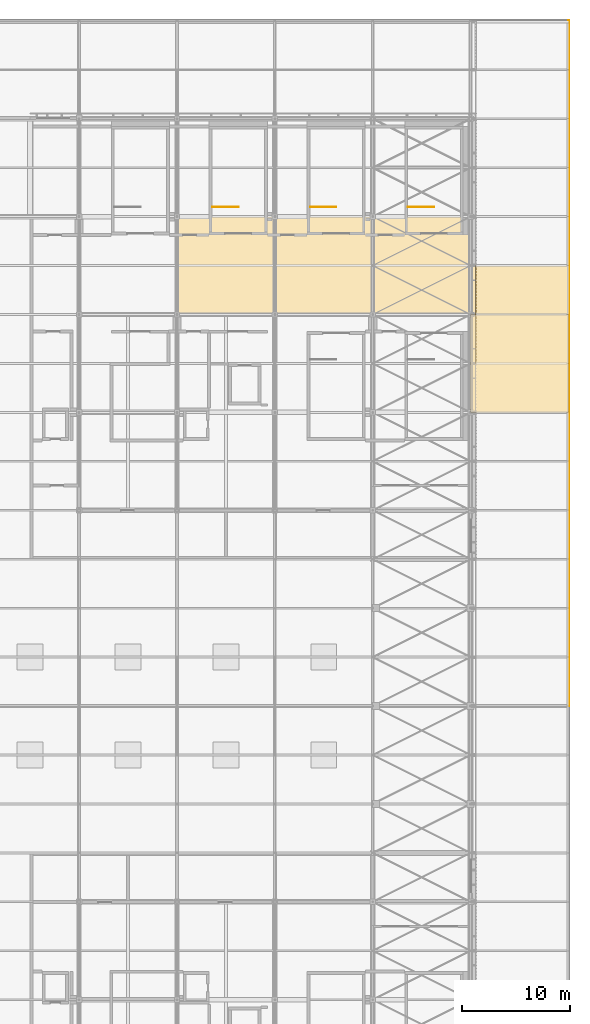
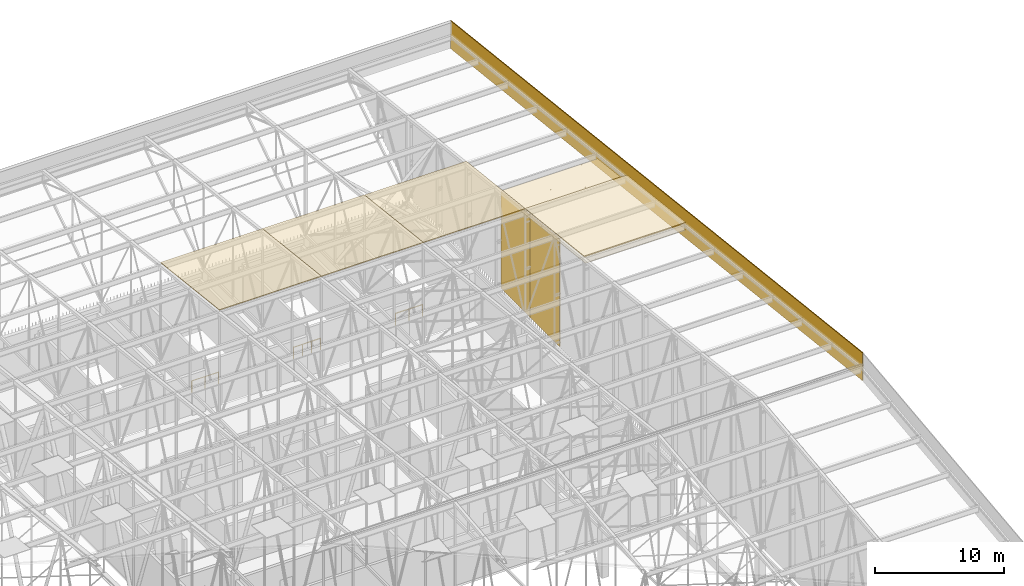
# One storey, part 495 of 500: 8 coverings, 3 railings, 2 shading devices.
"""IFC4 building model written with IfcOpenShell, lengths in metres."""

from ifc_helpers import new_model, si_unit, direction, frame, origin, origin_2d, place, context, subcontext, project, spatial, polyline, rectangle, circle, outline, extrude, material, layer, layer_set, type_object, element, save


model = new_model("IFC4")

# Units and contexts
model_context = context("Model", 3, precision=1e-05, world=origin(), true_north=direction((0.0, 1.0)))
body_context = subcontext(model_context, "Body", "Model", "MODEL_VIEW")
ifc_project = project(units=[si_unit("LENGTHUNIT", "METRE"), si_unit("AREAUNIT", "SQUARE_METRE"), si_unit("VOLUMEUNIT", "CUBIC_METRE"), si_unit("PLANEANGLEUNIT", "RADIAN"), si_unit("MASSUNIT", "GRAM", prefix="KILO")], contexts=[model_context])

# Site, building, storey
site_placement = place(None, origin())
site = spatial("IfcSite", under=ifc_project, at=site_placement, CompositionType="ELEMENT")
building_placement = place(site_placement, origin())
building = spatial("IfcBuilding", under=site, at=building_placement, Name="Shirokan Park Arena", CompositionType="ELEMENT")
storey_placement = place(building_placement, frame((0.0, 0.0, 29.1201171875)))
storey = spatial("IfcBuildingStorey", under=building, at=storey_placement, Name="L06", CompositionType="ELEMENT", Elevation=29.1201171875)

# Coverings
ifc_material_1 = material(Name="Bituminous roofing membrane")
ifc_layer_1 = layer(ifc_material_1, 0.010009765625, Name="Bituminous roofing membrane")
ifc_material_2 = material(Name="Mineral wool insulation")
ifc_layer_2 = layer(ifc_material_2, 0.050048828125, Name="Mineral wool insulation")
ifc_layer_set_1 = layer_set([ifc_layer_1, ifc_layer_2], Name="Bituminous roofing membrane + Mineral wool insulation")
covering_type_1 = type_object("IfcCoveringType", Name="Roofing membrane 60", PredefinedType="ROOFING", material=ifc_layer_set_1)
covering_1_placement = place(storey_placement, frame((118.300048828125, 91.0, 15.0107421875), z_axis=(0.0, 0.113549598152, 0.993532328996), x_axis=(1.0, 0.0, 0.0)))
element("IfcCovering", 1, at=covering_1_placement, inside=storey, type_object=covering_type_1, Name="Roofing", PredefinedType="ROOFING", context=body_context, shape_type="SweptSolid", body=[
    extrude(outline(polyline([(0.0, 0.0), (9.099853515625, 0.0), (9.099853515625, 9.15933723611117), (0.0, 9.15933723611117), (0.0, 0.0)])), origin(), (0.0, 0.0, -1.0), 0.06005859375),
])
for number, where, z_axis, x_axis, name in (
    (2, (127.39990234375, 91.0, 15.0107421875), (0.0, 0.113549598152, 0.993532328996), (1.0, 0.0, 0.0), "Roofing"),
    (3, (136.5, 91.0, 15.0107421875), (0.0, 0.113549598152, 0.993532328996), (1.0, 0.0, 0.0), "Roofing"),
):
    element("IfcCovering", number, at=place(storey_placement, frame(where, z_axis=z_axis, x_axis=x_axis)), inside=storey, type_object=covering_type_1, Name=name, PredefinedType="ROOFING", context=body_context, shape_type="SweptSolid", body=[
        extrude(outline(polyline([(0.0, 0.0), (9.10009765625, 0.0), (9.10009765625, 9.15933723611117), (0.0, 9.15933723611117), (0.0, 0.0)])), origin(), (0.0, 0.0, -1.0), 0.06005859375),
    ])
covering_2_placement = place(storey_placement, frame((145.60009765625, 81.89990234375, 16.05078125), z_axis=(0.0, 0.113549598152, 0.993532328996), x_axis=(1.0, 0.0, 0.0)))
element("IfcCovering", 4, at=covering_2_placement, inside=storey, type_object=covering_type_1, Name="Roofing", PredefinedType="ROOFING", context=body_context, shape_type="SweptSolid", body=[
    extrude(outline(polyline([(0.0, 0.0), (9.099853515625, 0.0), (9.099853515625, 9.15933723611117), (0.0, 9.15933723611117), (0.0, 0.0)])), origin(), (0.0, 0.0, -1.0), 0.06005859375),
])

# Railings
ifc_material_3 = material(Name="Stainless steel", Category="steel")
railing_type = type_object("IfcRailingType", Name="Stair well guard 1100", PredefinedType="GUARDRAIL", material=ifc_material_3)
railing_1_placement = place(storey_placement, frame((139.800048828125, 101.0, 0.0)))
element("IfcRailing", 5, at=railing_1_placement, inside=storey, type_object=railing_type, Name="Guard Exit Stair 3.A L06", PredefinedType="GUARDRAIL", context=body_context, shape_type="SweptSolid", body=[
    extrude(circle(Radius=0.02490234375, at=origin_2d()), frame((0.0, 0.0, 1.0771484375), z_axis=(1.0, 0.0, 0.0), x_axis=(0.0, 1.0, 0.0)), (0.0, 0.0, 1.0), 2.39990234375),
    extrude(circle(Radius=0.02490234375, at=origin_2d()), origin(), (0.0, 0.0, 1.0), 1.052001953125),
    extrude(circle(Radius=0.02490234375, at=origin_2d()), frame((1.199951171875, 0.0, 0.0)), (0.0, 0.0, 1.0), 1.052001953125),
    extrude(circle(Radius=0.02490234375, at=origin_2d()), frame((2.39990234375, 0.0, 0.0)), (0.0, 0.0, 1.0), 1.052001953125),
])
railing_2_placement = place(storey_placement, frame((130.699951171875, 101.0, 0.0)))
element("IfcRailing", 6, at=railing_2_placement, inside=storey, type_object=railing_type, Name="Guard Exit Stair 3.B L06", PredefinedType="GUARDRAIL", context=body_context, shape_type="SweptSolid", body=[
    extrude(circle(Radius=0.02490234375, at=origin_2d()), frame((0.0, 0.0, 1.0771484375), z_axis=(1.0, 0.0, 0.0), x_axis=(0.0, 1.0, 0.0)), (0.0, 0.0, 1.0), 2.400146484375),
    extrude(circle(Radius=0.02490234375, at=origin_2d()), origin(), (0.0, 0.0, 1.0), 1.052001953125),
    extrude(circle(Radius=0.02490234375, at=origin_2d()), frame((0.800048828125, 0.0, 0.0)), (0.0, 0.0, 1.0), 1.052001953125),
    extrude(circle(Radius=0.02490234375, at=origin_2d()), frame((1.60009765625, 0.0, 0.0)), (0.0, 0.0, 1.0), 1.052001953125),
    extrude(circle(Radius=0.02490234375, at=origin_2d()), frame((2.400146484375, 0.0, 0.0)), (0.0, 0.0, 1.0), 1.052001953125),
])
railing_3_placement = place(storey_placement, frame((121.60009765625, 101.0, 0.0)))
element("IfcRailing", 7, at=railing_3_placement, inside=storey, type_object=railing_type, Name="Guard Exit Stair 3.C L06", PredefinedType="GUARDRAIL", context=body_context, shape_type="SweptSolid", body=[
    extrude(circle(Radius=0.02490234375, at=origin_2d()), frame((0.0, 0.0, 1.0771484375), z_axis=(1.0, 0.0, 0.0), x_axis=(0.0, 1.0, 0.0)), (0.0, 0.0, 1.0), 2.39990234375),
    extrude(circle(Radius=0.02490234375, at=origin_2d()), origin(), (0.0, 0.0, 1.0), 1.052001953125),
    extrude(circle(Radius=0.02490234375, at=origin_2d()), frame((1.199951171875, 0.0, 0.0)), (0.0, 0.0, 1.0), 1.052001953125),
    extrude(circle(Radius=0.02490234375, at=origin_2d()), frame((2.39990234375, 0.0, 0.0)), (0.0, 0.0, 1.0), 1.052001953125),
])

# Coverings
ifc_material_4 = material(Name="Timber soffit boards (cedar)", Category="wood")
ifc_layer_3 = layer(ifc_material_4, 0.030029296875)
ifc_layer_set_2 = layer_set([ifc_layer_3], Name="Timber soffit boards (cedar) 30 mm")
covering_type_2 = type_object("IfcCoveringType", Name="Timber boarded soffit panel", PredefinedType="CLADDING", material=ifc_layer_set_2)
covering_3_placement = place(storey_placement, origin())
element("IfcCovering", 8, at=covering_3_placement, inside=storey, type_object=covering_type_2, Name="Rake soffit east bay 21", PredefinedType="CLADDING", context=body_context, shape_type="SweptSolid", body=[
    extrude(outline(polyline([(0.0, 0.0), (0.12000000000000455, 0.0), (0.12000000000000455, -4.579617887990218), (0.0, -4.579617887990218), (0.0, 0.0)])), frame((145.846923828125, 81.89990234375, 15.341796875), z_axis=(0.0, 0.113546591161, 0.993532672656), x_axis=(-1.0, 0.0, 0.0)), (0.0, 0.0, -1.0), 0.030029296875),
    extrude(outline(polyline([(0.0, 0.0), (0.11999999999997613, 0.0), (0.11999999999997613, -4.579617887990217), (0.0, -4.579617887990217), (0.0, 0.0)])), frame((154.580078125, 86.449951171875, 14.82177734375), z_axis=(0.0, 0.113546591161, 0.993532672656), x_axis=(1.0, 0.0, 0.0)), (0.0, 0.0, -1.0), 0.030029296875),
    extrude(outline(polyline([(0.0, 0.0), (0.12078064455864268, 0.0), (0.12078064455864268, -8.733000000000006), (0.0, -8.733000000000006), (0.0, 0.0)])), frame((154.580078125, 86.449951171875, 14.82177734375), z_axis=(0.0, 0.11351156512, 0.993536675007), x_axis=(0.0, -0.993536675007, 0.11351156512)), (0.0, 0.0, -1.0), 0.030029296875),
    extrude(outline(polyline([(0.0, 0.0), (0.12078064455862857, 0.0), (0.12078064455862857, -8.733000000000006), (0.0, -8.733000000000006), (0.0, 0.0)])), frame((145.846923828125, 81.89990234375, 15.341796875), z_axis=(0.0, 0.11351156512, 0.993536675007), x_axis=(0.0, 0.993536675007, -0.11351156512)), (0.0, 0.0, -1.0), 0.030029296875),
    extrude(outline(polyline([(0.0, 0.0), (8.733000000000004, 0.0), (8.733000000000004, -0.18452428160000886), (0.0, -0.18452428160000886), (0.0, 0.0)])), frame((154.580078125, 82.02001953125, 15.328125), z_axis=(0.0, 0.113589386818, 0.99352778079), x_axis=(-1.0, 0.0, 0.0)), (0.0, 0.0, -1.0), 0.030029296875),
    extrude(outline(polyline([(0.0, 0.0), (8.733000000000004, 0.0), (8.733000000000004, -0.30531372586243666), (0.0, -0.30531372586243666), (0.0, 0.0)])), frame((154.580078125, 82.203369140625, 15.30712890625), z_axis=(0.0, 0.113522573877, 0.993535417195), x_axis=(-1.0, 0.0, 0.0)), (0.0, 0.0, -1.0), 0.030029296875),
    extrude(outline(polyline([(0.0, 0.0), (8.733000000000004, 0.0), (8.733000000000004, -0.3053049259347152), (0.0, -0.3053049259347152), (0.0, 0.0)])), frame((154.580078125, 82.506591796875, 15.2724609375), z_axis=(0.0, 0.113558600124, 0.99353130013), x_axis=(-1.0, 0.0, 0.0)), (0.0, 0.0, -1.0), 0.030029296875),
    extrude(outline(polyline([(0.0, 0.0), (8.733000000000004, 0.0), (8.733000000000004, -0.30530492593471437), (0.0, -0.30530492593471437), (0.0, 0.0)])), frame((154.580078125, 82.81005859375, 15.23779296875), z_axis=(0.0, 0.113558600124, 0.99353130013), x_axis=(-1.0, 0.0, 0.0)), (0.0, 0.0, -1.0), 0.030029296875),
    extrude(outline(polyline([(0.0, 0.0), (8.733000000000004, 0.0), (8.733000000000004, -0.30531372586242256), (0.0, -0.30531372586242256), (0.0, 0.0)])), frame((154.580078125, 83.11328125, 15.203125), z_axis=(0.0, 0.113522573877, 0.993535417195), x_axis=(-1.0, 0.0, 0.0)), (0.0, 0.0, -1.0), 0.030029296875),
    extrude(outline(polyline([(0.0, 0.0), (8.733000000000004, 0.0), (8.733000000000004, -0.3053049259347152), (0.0, -0.3053049259347152), (0.0, 0.0)])), frame((154.580078125, 83.416748046875, 15.16845703125), z_axis=(0.0, 0.113558600124, 0.99353130013), x_axis=(-1.0, 0.0, 0.0)), (0.0, 0.0, -1.0), 0.030029296875),
    extrude(outline(polyline([(0.0, 0.0), (8.733000000000004, 0.0), (8.733000000000004, -0.30530492593471437), (0.0, -0.30530492593471437), (0.0, 0.0)])), frame((154.580078125, 83.719970703125, 15.1337890625), z_axis=(0.0, 0.113558600124, 0.99353130013), x_axis=(-1.0, 0.0, 0.0)), (0.0, 0.0, -1.0), 0.030029296875),
    extrude(outline(polyline([(0.0, 0.0), (8.733000000000004, 0.0), (8.733000000000004, -0.30531372586242334), (0.0, -0.30531372586242334), (0.0, 0.0)])), frame((154.580078125, 84.0234375, 15.09912109375), z_axis=(0.0, 0.113522573877, 0.993535417195), x_axis=(-1.0, 0.0, 0.0)), (0.0, 0.0, -1.0), 0.030029296875),
    extrude(outline(polyline([(0.0, 0.0), (8.733000000000004, 0.0), (8.733000000000004, -0.30530492593471437), (0.0, -0.30530492593471437), (0.0, 0.0)])), frame((154.580078125, 84.32666015625, 15.064453125), z_axis=(0.0, 0.113558600124, 0.99353130013), x_axis=(-1.0, 0.0, 0.0)), (0.0, 0.0, -1.0), 0.030029296875),
    extrude(outline(polyline([(0.0, 0.0), (8.733000000000004, 0.0), (8.733000000000004, -0.30530492593471437), (0.0, -0.30530492593471437), (0.0, 0.0)])), frame((154.580078125, 84.6298828125, 15.02978515625), z_axis=(0.0, 0.113558600124, 0.99353130013), x_axis=(-1.0, 0.0, 0.0)), (0.0, 0.0, -1.0), 0.030029296875),
    extrude(outline(polyline([(0.0, 0.0), (8.733000000000004, 0.0), (8.733000000000004, -0.3053137258624375), (0.0, -0.3053137258624375), (0.0, 0.0)])), frame((154.580078125, 84.933349609375, 14.9951171875), z_axis=(0.0, 0.113522573877, 0.993535417195), x_axis=(-1.0, 0.0, 0.0)), (0.0, 0.0, -1.0), 0.030029296875),
    extrude(outline(polyline([(0.0, 0.0), (8.733000000000004, 0.0), (8.733000000000004, -0.30530492593471437), (0.0, -0.30530492593471437), (0.0, 0.0)])), frame((154.580078125, 85.236572265625, 14.96044921875), z_axis=(0.0, 0.113558600124, 0.99353130013), x_axis=(-1.0, 0.0, 0.0)), (0.0, 0.0, -1.0), 0.030029296875),
    extrude(outline(polyline([(0.0, 0.0), (8.733000000000004, 0.0), (8.733000000000004, -0.30530492593470027), (0.0, -0.30530492593470027), (0.0, 0.0)])), frame((154.580078125, 85.5400390625, 14.92578125), z_axis=(0.0, 0.113558600124, 0.99353130013), x_axis=(-1.0, 0.0, 0.0)), (0.0, 0.0, -1.0), 0.030029296875),
    extrude(outline(polyline([(0.0, 0.0), (8.733000000000004, 0.0), (8.733000000000004, -0.3053137258624375), (0.0, -0.3053137258624375), (0.0, 0.0)])), frame((154.580078125, 85.84326171875, 14.89111328125), z_axis=(0.0, 0.113522573877, 0.993535417195), x_axis=(-1.0, 0.0, 0.0)), (0.0, 0.0, -1.0), 0.030029296875),
    extrude(outline(polyline([(0.0, 0.0), (0.18452428160000803, 0.0), (0.18452428160000803, -8.733000000000004), (0.0, -8.733000000000004), (0.0, 0.0)])), frame((154.580078125, 86.330078125, 14.835693359375), z_axis=(0.0, 0.113589386818, 0.99352778079), x_axis=(0.0, -0.99352778079, 0.113589386818)), (0.0, 0.0, -1.0), 0.030029296875),
])
covering_4_placement = place(storey_placement, origin())
element("IfcCovering", 9, at=covering_4_placement, inside=storey, type_object=covering_type_2, Name="Rake soffit east bay 22", PredefinedType="CLADDING", context=body_context, shape_type="SweptSolid", body=[
    extrude(outline(polyline([(0.0, 0.0), (0.12000000000000455, 0.0), (0.12000000000000455, -4.579617887990218), (0.0, -4.579617887990218), (0.0, 0.0)])), frame((145.846923828125, 86.449951171875, 14.82177734375), z_axis=(0.0, 0.113546591161, 0.993532672656), x_axis=(-1.0, 0.0, 0.0)), (0.0, 0.0, -1.0), 0.030029296875),
    extrude(outline(polyline([(0.0, 0.0), (0.11999999999997613, 0.0), (0.11999999999997613, -4.579617887990217), (0.0, -4.579617887990217), (0.0, 0.0)])), frame((154.580078125, 91.0, 14.302001953125), z_axis=(0.0, 0.113546591161, 0.993532672656), x_axis=(1.0, 0.0, 0.0)), (0.0, 0.0, -1.0), 0.030029296875),
    extrude(outline(polyline([(0.0, 0.0), (0.12078064455864267, 0.0), (0.12078064455864267, -8.733000000000004), (0.0, -8.733000000000004), (0.0, 0.0)])), frame((154.580078125, 91.0, 14.302001953125), z_axis=(0.0, 0.11351156512, 0.993536675007), x_axis=(0.0, -0.993536675007, 0.11351156512)), (0.0, 0.0, -1.0), 0.030029296875),
    extrude(outline(polyline([(0.0, 0.0), (0.12078064455862857, 0.0), (0.12078064455862857, -8.733000000000006), (0.0, -8.733000000000006), (0.0, 0.0)])), frame((145.846923828125, 86.449951171875, 14.82177734375), z_axis=(0.0, 0.11351156512, 0.993536675007), x_axis=(0.0, 0.993536675007, -0.11351156512)), (0.0, 0.0, -1.0), 0.030029296875),
    extrude(outline(polyline([(0.0, 0.0), (8.733000000000004, 0.0), (8.733000000000004, -0.18452428160002213), (0.0, -0.18452428160002213), (0.0, 0.0)])), frame((154.580078125, 86.570068359375, 14.80810546875), z_axis=(0.0, 0.113589386818, 0.99352778079), x_axis=(-1.0, 0.0, 0.0)), (0.0, 0.0, -1.0), 0.030029296875),
    extrude(outline(polyline([(0.0, 0.0), (8.733000000000004, 0.0), (8.733000000000004, -0.30531372586242334), (0.0, -0.30531372586242334), (0.0, 0.0)])), frame((154.580078125, 86.75341796875, 14.787109375), z_axis=(0.0, 0.113522573877, 0.993535417195), x_axis=(-1.0, 0.0, 0.0)), (0.0, 0.0, -1.0), 0.030029296875),
    extrude(outline(polyline([(0.0, 0.0), (8.733000000000004, 0.0), (8.733000000000004, -0.30530492593471437), (0.0, -0.30530492593471437), (0.0, 0.0)])), frame((154.580078125, 87.056640625, 14.75244140625), z_axis=(0.0, 0.113558600124, 0.99353130013), x_axis=(-1.0, 0.0, 0.0)), (0.0, 0.0, -1.0), 0.030029296875),
    extrude(outline(polyline([(0.0, 0.0), (8.733000000000004, 0.0), (8.733000000000004, -0.30530492593471437), (0.0, -0.30530492593471437), (0.0, 0.0)])), frame((154.580078125, 87.360107421875, 14.7177734375), z_axis=(0.0, 0.113558600124, 0.99353130013), x_axis=(-1.0, 0.0, 0.0)), (0.0, 0.0, -1.0), 0.030029296875),
    extrude(outline(polyline([(0.0, 0.0), (8.733000000000004, 0.0), (8.733000000000004, -0.3053137258624234), (0.0, -0.3053137258624234), (0.0, 0.0)])), frame((154.580078125, 87.663330078125, 14.68310546875), z_axis=(0.0, 0.113522573877, 0.993535417195), x_axis=(-1.0, 0.0, 0.0)), (0.0, 0.0, -1.0), 0.030029296875),
    extrude(outline(polyline([(0.0, 0.0), (8.733000000000004, 0.0), (8.733000000000004, -0.30530492593471437), (0.0, -0.30530492593471437), (0.0, 0.0)])), frame((154.580078125, 87.966552734375, 14.6484375), z_axis=(0.0, 0.113558600124, 0.99353130013), x_axis=(-1.0, 0.0, 0.0)), (0.0, 0.0, -1.0), 0.030029296875),
    extrude(outline(polyline([(0.0, 0.0), (8.733000000000004, 0.0), (8.733000000000004, -0.30530492593471437), (0.0, -0.30530492593471437), (0.0, 0.0)])), frame((154.580078125, 88.27001953125, 14.61376953125), z_axis=(0.0, 0.113558600124, 0.99353130013), x_axis=(-1.0, 0.0, 0.0)), (0.0, 0.0, -1.0), 0.030029296875),
    extrude(outline(polyline([(0.0, 0.0), (8.733000000000004, 0.0), (8.733000000000004, -0.3053137258624375), (0.0, -0.3053137258624375), (0.0, 0.0)])), frame((154.580078125, 88.5732421875, 14.5791015625), z_axis=(0.0, 0.113522573877, 0.993535417195), x_axis=(-1.0, 0.0, 0.0)), (0.0, 0.0, -1.0), 0.030029296875),
    extrude(outline(polyline([(0.0, 0.0), (8.733000000000004, 0.0), (8.733000000000004, -0.30530492593471437), (0.0, -0.30530492593471437), (0.0, 0.0)])), frame((154.580078125, 88.876708984375, 14.54443359375), z_axis=(0.0, 0.113558600124, 0.99353130013), x_axis=(-1.0, 0.0, 0.0)), (0.0, 0.0, -1.0), 0.030029296875),
    extrude(outline(polyline([(0.0, 0.0), (8.733000000000004, 0.0), (8.733000000000004, -0.30530492593470104), (0.0, -0.30530492593470104), (0.0, 0.0)])), frame((154.580078125, 89.179931640625, 14.509765625), z_axis=(0.0, 0.113558600124, 0.99353130013), x_axis=(-1.0, 0.0, 0.0)), (0.0, 0.0, -1.0), 0.030029296875),
    extrude(outline(polyline([(0.0, 0.0), (8.733000000000004, 0.0), (8.733000000000004, -0.3053137258624367), (0.0, -0.3053137258624367), (0.0, 0.0)])), frame((154.580078125, 89.4833984375, 14.47509765625), z_axis=(0.0, 0.113522573877, 0.993535417195), x_axis=(-1.0, 0.0, 0.0)), (0.0, 0.0, -1.0), 0.030029296875),
    extrude(outline(polyline([(0.0, 0.0), (8.733000000000004, 0.0), (8.733000000000004, -0.30530492593471437), (0.0, -0.30530492593471437), (0.0, 0.0)])), frame((154.580078125, 89.78662109375, 14.440673828125), z_axis=(0.0, 0.113558600124, 0.99353130013), x_axis=(-1.0, 0.0, 0.0)), (0.0, 0.0, -1.0), 0.030029296875),
    extrude(outline(polyline([(0.0, 0.0), (8.733000000000004, 0.0), (8.733000000000004, -0.3053049259347152), (0.0, -0.3053049259347152), (0.0, 0.0)])), frame((154.580078125, 90.090087890625, 14.40576171875), z_axis=(0.0, 0.113558600124, 0.99353130013), x_axis=(-1.0, 0.0, 0.0)), (0.0, 0.0, -1.0), 0.030029296875),
    extrude(outline(polyline([(0.0, 0.0), (8.733000000000004, 0.0), (8.733000000000004, -0.30531372586242256), (0.0, -0.30531372586242256), (0.0, 0.0)])), frame((154.580078125, 90.393310546875, 14.37109375), z_axis=(0.0, 0.113522573877, 0.993535417195), x_axis=(-1.0, 0.0, 0.0)), (0.0, 0.0, -1.0), 0.030029296875),
    extrude(outline(polyline([(0.0, 0.0), (0.18452428160000886, 0.0), (0.18452428160000886, -8.733000000000004), (0.0, -8.733000000000004), (0.0, 0.0)])), frame((154.580078125, 90.8798828125, 14.315673828125), z_axis=(0.0, 0.113589386818, 0.99352778079), x_axis=(0.0, -0.99352778079, 0.113589386818)), (0.0, 0.0, -1.0), 0.030029296875),
])
covering_5_placement = place(storey_placement, origin())
element("IfcCovering", 10, at=covering_5_placement, inside=storey, type_object=covering_type_2, Name="Rake soffit east bay 23", PredefinedType="CLADDING", context=body_context, shape_type="SweptSolid", body=[
    extrude(outline(polyline([(0.0, 0.0), (0.12000000000000455, 0.0), (0.12000000000000455, -4.579617887990217), (0.0, -4.579617887990217), (0.0, 0.0)])), frame((145.846923828125, 91.0, 14.302001953125), z_axis=(0.0, 0.113546591161, 0.993532672656), x_axis=(-1.0, 0.0, 0.0)), (0.0, 0.0, -1.0), 0.030029296875),
    extrude(outline(polyline([(0.0, 0.0), (0.11999999999997613, 0.0), (0.11999999999997613, -4.579617887990216), (0.0, -4.579617887990216), (0.0, 0.0)])), frame((154.580078125, 95.550048828125, 13.781982421875), z_axis=(0.0, 0.113546591161, 0.993532672656), x_axis=(1.0, 0.0, 0.0)), (0.0, 0.0, -1.0), 0.030029296875),
    extrude(outline(polyline([(0.0, 0.0), (0.12078064455862775, 0.0), (0.12078064455862775, -8.733000000000004), (0.0, -8.733000000000004), (0.0, 0.0)])), frame((154.580078125, 95.550048828125, 13.781982421875), z_axis=(0.0, 0.11351156512, 0.993536675007), x_axis=(0.0, -0.993536675007, 0.11351156512)), (0.0, 0.0, -1.0), 0.030029296875),
    extrude(outline(polyline([(0.0, 0.0), (0.12078064455864188, 0.0), (0.12078064455864188, -8.733000000000004), (0.0, -8.733000000000004), (0.0, 0.0)])), frame((145.846923828125, 91.0, 14.302001953125), z_axis=(0.0, 0.11351156512, 0.993536675007), x_axis=(0.0, 0.993536675007, -0.11351156512)), (0.0, 0.0, -1.0), 0.030029296875),
    extrude(outline(polyline([(0.0, 0.0), (8.733000000000004, 0.0), (8.733000000000004, -0.18452428160000886), (0.0, -0.18452428160000886), (0.0, 0.0)])), frame((154.580078125, 91.1201171875, 14.2880859375), z_axis=(0.0, 0.113589386818, 0.99352778079), x_axis=(-1.0, 0.0, 0.0)), (0.0, 0.0, -1.0), 0.030029296875),
    extrude(outline(polyline([(0.0, 0.0), (8.733000000000004, 0.0), (8.733000000000004, -0.30531372586242256), (0.0, -0.30531372586242256), (0.0, 0.0)])), frame((154.580078125, 91.30322265625, 14.267333984375), z_axis=(0.0, 0.113522573877, 0.993535417195), x_axis=(-1.0, 0.0, 0.0)), (0.0, 0.0, -1.0), 0.030029296875),
    extrude(outline(polyline([(0.0, 0.0), (8.733000000000004, 0.0), (8.733000000000004, -0.3053049259347152), (0.0, -0.3053049259347152), (0.0, 0.0)])), frame((154.580078125, 91.606689453125, 14.232666015625), z_axis=(0.0, 0.113558600124, 0.99353130013), x_axis=(-1.0, 0.0, 0.0)), (0.0, 0.0, -1.0), 0.030029296875),
    extrude(outline(polyline([(0.0, 0.0), (8.733000000000004, 0.0), (8.733000000000004, -0.30530492593471437), (0.0, -0.30530492593471437), (0.0, 0.0)])), frame((154.580078125, 91.909912109375, 14.197998046875), z_axis=(0.0, 0.113558600124, 0.99353130013), x_axis=(-1.0, 0.0, 0.0)), (0.0, 0.0, -1.0), 0.030029296875),
    extrude(outline(polyline([(0.0, 0.0), (8.733000000000004, 0.0), (8.733000000000004, -0.3053137258624375), (0.0, -0.3053137258624375), (0.0, 0.0)])), frame((154.580078125, 92.21337890625, 14.163330078125), z_axis=(0.0, 0.113522573877, 0.993535417195), x_axis=(-1.0, 0.0, 0.0)), (0.0, 0.0, -1.0), 0.030029296875),
    extrude(outline(polyline([(0.0, 0.0), (8.733000000000004, 0.0), (8.733000000000004, -0.30530492593470027), (0.0, -0.30530492593470027), (0.0, 0.0)])), frame((154.580078125, 92.5166015625, 14.128662109375), z_axis=(0.0, 0.113558600124, 0.99353130013), x_axis=(-1.0, 0.0, 0.0)), (0.0, 0.0, -1.0), 0.030029296875),
    extrude(outline(polyline([(0.0, 0.0), (8.733000000000004, 0.0), (8.733000000000004, -0.30530492593471437), (0.0, -0.30530492593471437), (0.0, 0.0)])), frame((154.580078125, 92.820068359375, 14.093994140625), z_axis=(0.0, 0.113558600124, 0.99353130013), x_axis=(-1.0, 0.0, 0.0)), (0.0, 0.0, -1.0), 0.030029296875),
    extrude(outline(polyline([(0.0, 0.0), (8.733000000000004, 0.0), (8.733000000000004, -0.3053137258624375), (0.0, -0.3053137258624375), (0.0, 0.0)])), frame((154.580078125, 93.123291015625, 14.059326171875), z_axis=(0.0, 0.113522573877, 0.993535417195), x_axis=(-1.0, 0.0, 0.0)), (0.0, 0.0, -1.0), 0.030029296875),
    extrude(outline(polyline([(0.0, 0.0), (8.733000000000004, 0.0), (8.733000000000004, -0.30530492593471437), (0.0, -0.30530492593471437), (0.0, 0.0)])), frame((154.580078125, 93.4267578125, 14.024658203125), z_axis=(0.0, 0.113558600124, 0.99353130013), x_axis=(-1.0, 0.0, 0.0)), (0.0, 0.0, -1.0), 0.030029296875),
    extrude(outline(polyline([(0.0, 0.0), (8.733000000000004, 0.0), (8.733000000000004, -0.30530492593471437), (0.0, -0.30530492593471437), (0.0, 0.0)])), frame((154.580078125, 93.72998046875, 13.989990234375), z_axis=(0.0, 0.113558600124, 0.99353130013), x_axis=(-1.0, 0.0, 0.0)), (0.0, 0.0, -1.0), 0.030029296875),
    extrude(outline(polyline([(0.0, 0.0), (8.733000000000004, 0.0), (8.733000000000004, -0.3053137258624234), (0.0, -0.3053137258624234), (0.0, 0.0)])), frame((154.580078125, 94.033447265625, 13.955322265625), z_axis=(0.0, 0.113522573877, 0.993535417195), x_axis=(-1.0, 0.0, 0.0)), (0.0, 0.0, -1.0), 0.030029296875),
    extrude(outline(polyline([(0.0, 0.0), (8.733000000000004, 0.0), (8.733000000000004, -0.30530492593471437), (0.0, -0.30530492593471437), (0.0, 0.0)])), frame((154.580078125, 94.336669921875, 13.920654296875), z_axis=(0.0, 0.113558600124, 0.99353130013), x_axis=(-1.0, 0.0, 0.0)), (0.0, 0.0, -1.0), 0.030029296875),
    extrude(outline(polyline([(0.0, 0.0), (8.733000000000004, 0.0), (8.733000000000004, -0.30530492593471437), (0.0, -0.30530492593471437), (0.0, 0.0)])), frame((154.580078125, 94.639892578125, 13.885986328125), z_axis=(0.0, 0.113558600124, 0.99353130013), x_axis=(-1.0, 0.0, 0.0)), (0.0, 0.0, -1.0), 0.030029296875),
    extrude(outline(polyline([(0.0, 0.0), (8.733000000000004, 0.0), (8.733000000000004, -0.30531372586242334), (0.0, -0.30531372586242334), (0.0, 0.0)])), frame((154.580078125, 94.943359375, 13.851318359375), z_axis=(0.0, 0.113522573877, 0.993535417195), x_axis=(-1.0, 0.0, 0.0)), (0.0, 0.0, -1.0), 0.030029296875),
    extrude(outline(polyline([(0.0, 0.0), (0.18452428160002296, 0.0), (0.18452428160002296, -8.733000000000004), (0.0, -8.733000000000004), (0.0, 0.0)])), frame((154.580078125, 95.429931640625, 13.795654296875), z_axis=(0.0, 0.113589386818, 0.99352778079), x_axis=(0.0, -0.99352778079, 0.113589386818)), (0.0, 0.0, -1.0), 0.030029296875),
])

# Shading devices
ifc_material_5 = material(Name="Timber louvre veil (cedar)", Category="wood")
shading_device_type = type_object("IfcShadingDeviceType", Name="Timber louvre veil panel, gable band, closed", PredefinedType="JALOUSIE", material=ifc_material_5)
shading_device_1_placement = place(storey_placement, origin())
element("IfcShadingDevice", 11, at=shading_device_1_placement, inside=storey, type_object=shading_device_type, Name="Timber louvre veil gable band east bay 22", PredefinedType="JALOUSIE", context=body_context, shape_type="SweptSolid", body=[
    extrude(outline(polyline([(91.0, 4.575927734375), (91.0, 14.27197265625), (90.69677734375, 14.27197265625), (90.69677734375, 14.306640625), (90.393310546875, 14.306640625), (90.393310546875, 14.34130859375), (90.090087890625, 14.34130859375), (90.090087890625, 14.3759765625), (89.78662109375, 14.3759765625), (89.78662109375, 14.41064453125), (89.4833984375, 14.41064453125), (89.4833984375, 14.4453125), (89.179931640625, 14.4453125), (89.179931640625, 14.47998046875), (88.876708984375, 14.47998046875), (88.876708984375, 14.5146484375), (88.5732421875, 14.5146484375), (88.5732421875, 14.54931640625), (88.27001953125, 14.54931640625), (88.27001953125, 14.583984375), (87.966552734375, 14.583984375), (87.966552734375, 14.61865234375), (87.663330078125, 14.61865234375), (87.663330078125, 14.6533203125), (87.360107421875, 14.6533203125), (87.360107421875, 14.68798828125), (87.056640625, 14.68798828125), (87.056640625, 14.72265625), (86.75341796875, 14.72265625), (86.75341796875, 14.75732421875), (86.449951171875, 14.75732421875), (86.449951171875, 4.575927734375), (91.0, 4.575927734375)])), frame((146.044921875, 0.0, 0.0), z_axis=(1.0, 0.0, 0.0), x_axis=(0.0, 1.0, 0.0)), (0.0, 0.0, 1.0), 0.080078125),
    extrude(rectangle(XDim=0.050048828125, YDim=4.550048828125, at=origin_2d()), frame((146.070068359375, 88.72509765625, 4.98583984375), z_axis=(0.0, 0.0, 1.0), x_axis=(1.0, 0.0, 0.0)), (0.0, 0.0, 1.0), 0.080078125),
    extrude(rectangle(XDim=0.050048828125, YDim=4.550048828125, at=origin_2d()), frame((146.070068359375, 88.72509765625, 9.3837890625), z_axis=(0.0, 0.0, 1.0), x_axis=(1.0, 0.0, 0.0)), (0.0, 0.0, 1.0), 0.080078125),
    extrude(rectangle(XDim=0.050048828125, YDim=4.550048828125, at=origin_2d()), frame((146.070068359375, 88.72509765625, 14.1318359375), z_axis=(0.0, 0.0, 1.0), x_axis=(1.0, 0.0, 0.0)), (0.0, 0.0, 1.0), 0.080078125),
])
shading_device_2_placement = place(storey_placement, origin())
element("IfcShadingDevice", 12, at=shading_device_2_placement, inside=storey, type_object=shading_device_type, Name="Timber louvre veil gable band east bay 23", PredefinedType="JALOUSIE", context=body_context, shape_type="SweptSolid", body=[
    extrude(outline(polyline([(95.550048828125, 4.575927734375), (95.550048828125, 13.751953125), (95.24658203125, 13.751953125), (95.24658203125, 13.78662109375), (94.943359375, 13.78662109375), (94.943359375, 13.8212890625), (94.639892578125, 13.8212890625), (94.639892578125, 13.85595703125), (94.336669921875, 13.85595703125), (94.336669921875, 13.890625), (94.033447265625, 13.890625), (94.033447265625, 13.92529296875), (93.72998046875, 13.92529296875), (93.72998046875, 13.9599609375), (93.4267578125, 13.9599609375), (93.4267578125, 13.99462890625), (93.123291015625, 13.99462890625), (93.123291015625, 14.029296875), (92.820068359375, 14.029296875), (92.820068359375, 14.06396484375), (92.5166015625, 14.06396484375), (92.5166015625, 14.0986328125), (92.21337890625, 14.0986328125), (92.21337890625, 14.13330078125), (91.909912109375, 14.13330078125), (91.909912109375, 14.16796875), (91.606689453125, 14.16796875), (91.606689453125, 14.20263671875), (91.30322265625, 14.20263671875), (91.30322265625, 14.2373046875), (91.0, 14.2373046875), (91.0, 4.575927734375), (95.550048828125, 4.575927734375)])), frame((146.044921875, 0.0, 0.0), z_axis=(1.0, 0.0, 0.0), x_axis=(0.0, 1.0, 0.0)), (0.0, 0.0, 1.0), 0.080078125),
    extrude(rectangle(XDim=0.050048828125, YDim=4.550048828125, at=origin_2d()), frame((146.070068359375, 93.27490234375, 4.98583984375), z_axis=(0.0, 0.0, 1.0), x_axis=(1.0, 0.0, 0.0)), (0.0, 0.0, 1.0), 0.080078125),
    extrude(rectangle(XDim=0.050048828125, YDim=4.550048828125, at=origin_2d()), frame((146.070068359375, 93.27490234375, 9.123779296875), z_axis=(0.0, 0.0, 1.0), x_axis=(1.0, 0.0, 0.0)), (0.0, 0.0, 1.0), 0.080078125),
    extrude(rectangle(XDim=0.050048828125, YDim=4.550048828125, at=origin_2d()), frame((146.070068359375, 93.27490234375, 13.61181640625), z_axis=(0.0, 0.0, 1.0), x_axis=(1.0, 0.0, 0.0)), (0.0, 0.0, 1.0), 0.080078125),
])

# Covering
ifc_material_6 = material(Name="Timber fascia board (cedar)", Category="wood")
ifc_layer_4 = layer(ifc_material_6, 0.080078125)
ifc_layer_set_3 = layer_set([ifc_layer_4], Name="Timber fascia board (cedar) 80 mm")
covering_type_3 = type_object("IfcCoveringType", Name="Timber rake fascia 80", PredefinedType="CLADDING", material=ifc_layer_set_3)
covering_6_placement = place(storey_placement, frame((154.780029296875, 54.60009765625, 17.630859375), z_axis=(1.0, 0.0, 0.0), x_axis=(0.0, 0.993542664023, -0.113459132577)))
element("IfcCovering", 13, at=covering_6_placement, inside=storey, type_object=covering_type_3, Name="Rake fascia east north half", PredefinedType="CLADDING", context=body_context, shape_type="SweptSolid", body=[
    extrude(outline(polyline([(0.0, 0.0), (64.16433064065548, 0.0), (63.864893818595476, 2.6221182124252387), (-0.29940912207646453, 2.62187564829828), (0.0, 0.0)])), origin(), (0.0, 0.0, -1.0), 0.080078125),
])

save(model, "model.ifc")
